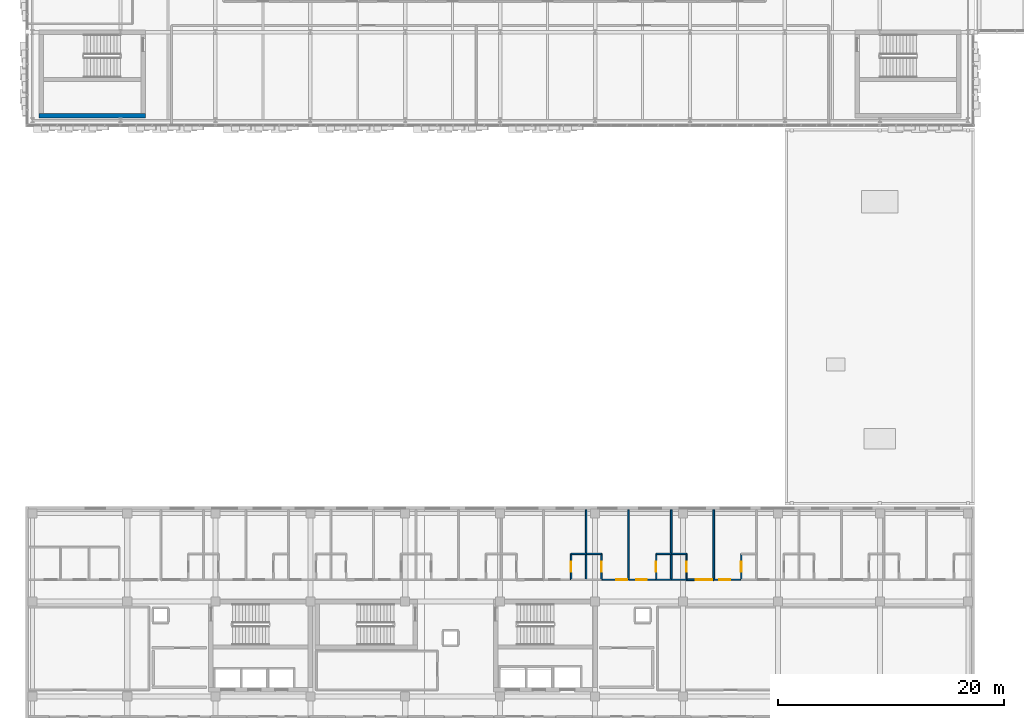
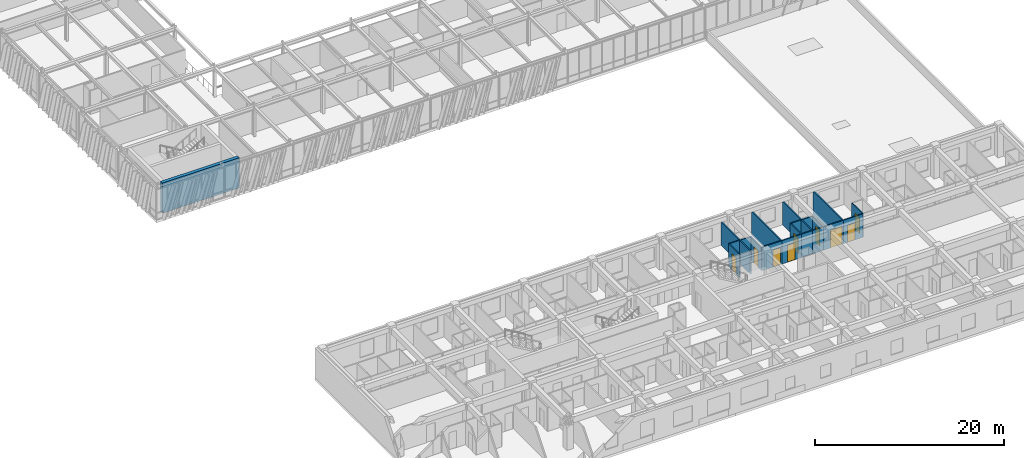
# One storey, part 102 of 127: 20 walls, 9 doors, 9 openings.
"""IFC4 building model written with IfcOpenShell, lengths in metres."""

from ifc_helpers import new_model, si_unit, direction, frame, frame_2d, origin, place, context, subcontext, project, spatial, rectangle, extrude, material, layer, layer_set, type_object, element, fill, save


model = new_model("IFC4")

# Units and contexts
model_context = context("Model", 3, precision=1e-05, world=origin(), true_north=direction((0.0, 1.0)))
body_context = subcontext(model_context, "Body", "Model", "MODEL_VIEW")
ifc_project = project(units=[si_unit("LENGTHUNIT", "METRE"), si_unit("AREAUNIT", "SQUARE_METRE"), si_unit("VOLUMEUNIT", "CUBIC_METRE"), si_unit("PLANEANGLEUNIT", "RADIAN"), si_unit("MASSUNIT", "GRAM", prefix="KILO")], contexts=[model_context])

# Site, building, storey
site_placement = place(None, origin())
site = spatial("IfcSite", under=ifc_project, at=site_placement, CompositionType="ELEMENT")
building_placement = place(site_placement, origin())
building = spatial("IfcBuilding", under=site, at=building_placement, Name="Zayran Congress Hotel", CompositionType="ELEMENT")
storey_placement = place(building_placement, frame((0.0, 0.0, 10.800048828125)))
storey = spatial("IfcBuildingStorey", under=building, at=storey_placement, Name="L02", CompositionType="ELEMENT", Elevation=10.800048828125)

# Wall
ifc_material_1 = material(Name="Concrete C40/50", Category="concrete")
ifc_layer_1 = layer(ifc_material_1, 0.39990234375)
ifc_layer_set_1 = layer_set([ifc_layer_1], Name="Concrete C40/50")
wall_type_1 = type_object("IfcWallType", Name="WL-SH-400", PredefinedType="SHEAR", material=ifc_layer_set_1)
wall_1_placement = place(storey_placement, frame((9.60009765625, 68.60009765625, 0.0), z_axis=(0.0, 0.0, 1.0), x_axis=(1.0, 0.0, 0.0)))
element("IfcWall", 1, at=wall_1_placement, inside=storey, type_object=wall_type_1, Name="CWALL-C-V1S-L02-S", PredefinedType="SHEAR", context=body_context, shape_type="SweptSolid", body=[
    extrude(rectangle(XDim=9.39990234375, YDim=0.39990234375, at=frame_2d((4.699951171875, 0.0))), origin(), (0.0, 0.0, 1.0), 3.919921875),
])

# Wall, opening, door
ifc_material_2 = material(Name="Hospitality guestroom acoustic partition", Category="gypsum")
ifc_layer_2 = layer(ifc_material_2, 0.139892578125)
ifc_layer_set_2 = layer_set([ifc_layer_2], Name="Hospitality guestroom acoustic partition")
wall_type_2 = type_object("IfcWallType", Name="WL-PT-140", PredefinedType="PARTITIONING", material=ifc_layer_set_2)
wall_2_placement = place(storey_placement, frame((59.361083984375, 27.530029296875, 0.0), z_axis=(0.0, 0.0, 1.0), x_axis=(1.0, 0.0, 0.0)))
wall_2 = element("IfcWall", 2, at=wall_2_placement, inside=storey, type_object=wall_type_2, Name="IW-L02-0547", PredefinedType="PARTITIONING", context=body_context, shape_type="SweptSolid", body=[
    extrude(rectangle(XDim=2.414794921875, YDim=0.139892578125, at=frame_2d((1.20751953125, 0.0))), origin(), (0.0, 0.0, 1.0), 3.02001953125),
])
opening_1_placement = place(wall_2_placement, frame((1.3349609375, 0.0, 0.0)))
opening_1 = element("IfcOpeningElement", 3, at=opening_1_placement, cuts=wall_2, Name="Opening DR-GR-01", PredefinedType="OPENING", context=body_context, shape_type="SweptSolid", body=[
    extrude(rectangle(XDim=0.93994140625, YDim=2.199951171875, at=frame_2d((0.469970703125, 1.10009765625))), frame((0.0, 0.079833984375, 0.0), z_axis=(0.0, -1.0, 0.0), x_axis=(1.0, 0.0, 0.0)), (0.0, 0.0, 1.0), 0.159912109375),
])
ifc_material_3 = material(Name="Acoustic walnut veneer fire-rated entry door", Category="wood")
door_type_1 = type_object("IfcDoorType", Name="TP-DR-GR-01", OperationType="NOTDEFINED", PredefinedType="DOOR", material=ifc_material_3)
door_1_placement = place(opening_1_placement, origin())
door_1 = element("IfcDoor", 4, at=door_1_placement, inside=storey, type_object=door_type_1, Name="Guest Room L02-30 Door", OperationType="SINGLE_SWING_RIGHT", OverallHeight=2.199951171875, OverallWidth=0.93994140625, PredefinedType="DOOR", context=body_context, shape_type="SweptSolid", body=[
    extrude(rectangle(XDim=0.93994140625, YDim=2.199951171875, at=frame_2d((0.469970703125, 1.10009765625))), frame((0.0, 0.02490234375, 0.0), z_axis=(0.0, -1.0, 0.0), x_axis=(1.0, 0.0, 0.0)), (0.0, 0.0, 1.0), 0.050048828125),
])
fill(opening_1, door_1)

wall_3_placement = place(storey_placement, frame((61.7958984375, 27.530029296875, 0.0), z_axis=(0.0, 0.0, 1.0), x_axis=(1.0, 0.0, 0.0)))
wall_3 = element("IfcWall", 5, at=wall_3_placement, inside=storey, type_object=wall_type_2, Name="IW-L02-0548", PredefinedType="PARTITIONING", context=body_context, shape_type="SweptSolid", body=[
    extrude(rectangle(XDim=2.4150390625, YDim=0.139892578125, at=frame_2d((1.20751953125, 0.0))), origin(), (0.0, 0.0, 1.0), 3.02001953125),
])
opening_2_placement = place(wall_3_placement, frame((0.652099609375, 0.0, 0.0)))
opening_2 = element("IfcOpeningElement", 6, at=opening_2_placement, cuts=wall_3, Name="Opening DR-GR-01", PredefinedType="OPENING", context=body_context, shape_type="SweptSolid", body=[
    extrude(rectangle(XDim=0.93994140625, YDim=2.199951171875, at=frame_2d((0.469970703125, 1.10009765625))), frame((0.0, 0.079833984375, 0.0), z_axis=(0.0, -1.0, 0.0), x_axis=(1.0, 0.0, 0.0)), (0.0, 0.0, 1.0), 0.159912109375),
])
door_2_placement = place(opening_2_placement, origin())
door_2 = element("IfcDoor", 7, at=door_2_placement, inside=storey, type_object=door_type_1, Name="Guest Room L02-31 Door", OperationType="SINGLE_SWING_LEFT", OverallHeight=2.199951171875, OverallWidth=0.93994140625, PredefinedType="DOOR", context=body_context, shape_type="SweptSolid", body=[
    extrude(rectangle(XDim=0.93994140625, YDim=2.199951171875, at=frame_2d((0.469970703125, 1.10009765625))), frame((0.0, 0.02490234375, 0.0), z_axis=(0.0, -1.0, 0.0), x_axis=(1.0, 0.0, 0.0)), (0.0, 0.0, 1.0), 0.050048828125),
])
fill(opening_2, door_2)

wall_4_placement = place(storey_placement, frame((66.889892578125, 27.530029296875, 0.0), z_axis=(0.0, 0.0, 1.0), x_axis=(1.0, 0.0, 0.0)))
wall_4 = element("IfcWall", 8, at=wall_4_placement, inside=storey, type_object=wall_type_2, Name="IW-L02-0549", PredefinedType="PARTITIONING", context=body_context, shape_type="SweptSolid", body=[
    extrude(rectangle(XDim=2.4150390625, YDim=0.139892578125, at=frame_2d((1.20751953125, 0.0))), origin(), (0.0, 0.0, 1.0), 3.02001953125),
])
opening_3_placement = place(wall_4_placement, frame((0.824951171875, 0.0, 0.0)))
opening_3 = element("IfcOpeningElement", 9, at=opening_3_placement, cuts=wall_4, Name="Opening DR-ST-01", PredefinedType="OPENING", context=body_context, shape_type="SweptSolid", body=[
    extrude(rectangle(XDim=1.449951171875, YDim=2.300048828125, at=frame_2d((0.72509765625, 1.14990234375))), frame((0.0, 0.079833984375, 0.0), z_axis=(0.0, -1.0, 0.0), x_axis=(1.0, 0.0, 0.0)), (0.0, 0.0, 1.0), 0.159912109375),
])
ifc_material_4 = material(Name="Double walnut veneer suite entry door", Category="wood")
door_type_2 = type_object("IfcDoorType", Name="TP-DR-ST-01", OperationType="DOUBLE_DOOR_SINGLE_SWING", PredefinedType="DOOR", material=ifc_material_4)
door_3_placement = place(opening_3_placement, origin())
door_3 = element("IfcDoor", 10, at=door_3_placement, inside=storey, type_object=door_type_2, Name="Executive Suite L02-32 Door", OperationType="DOUBLE_DOOR_SINGLE_SWING", OverallHeight=2.300048828125, OverallWidth=1.449951171875, PredefinedType="DOOR", context=body_context, shape_type="SweptSolid", body=[
    extrude(rectangle(XDim=1.449951171875, YDim=2.300048828125, at=frame_2d((0.72509765625, 1.14990234375))), frame((0.0, 0.02490234375, 0.0), z_axis=(0.0, -1.0, 0.0), x_axis=(1.0, 0.0, 0.0)), (0.0, 0.0, 1.0), 0.050048828125),
])
fill(opening_3, door_3)

wall_5_placement = place(storey_placement, frame((69.324951171875, 27.530029296875, 0.0), z_axis=(0.0, 0.0, 1.0), x_axis=(1.0, 0.0, 0.0)))
wall_5 = element("IfcWall", 11, at=wall_5_placement, inside=storey, type_object=wall_type_2, Name="IW-L02-0550", PredefinedType="PARTITIONING", context=body_context, shape_type="SweptSolid", body=[
    extrude(rectangle(XDim=2.4150390625, YDim=0.139892578125, at=frame_2d((1.20751953125, 0.0))), origin(), (0.0, 0.0, 1.0), 3.02001953125),
])
opening_4_placement = place(wall_5_placement, frame((0.48095703125, 0.0, 0.0)))
opening_4 = element("IfcOpeningElement", 12, at=opening_4_placement, cuts=wall_5, Name="Opening DR-GR-01", PredefinedType="OPENING", context=body_context, shape_type="SweptSolid", body=[
    extrude(rectangle(XDim=0.93994140625, YDim=2.199951171875, at=frame_2d((0.469970703125, 1.10009765625))), frame((0.0, 0.079833984375, 0.0), z_axis=(0.0, -1.0, 0.0), x_axis=(1.0, 0.0, 0.0)), (0.0, 0.0, 1.0), 0.159912109375),
])
door_4_placement = place(opening_4_placement, origin())
door_4 = element("IfcDoor", 13, at=door_4_placement, inside=storey, type_object=door_type_1, Name="Guest Room L02-33 Door", OperationType="SINGLE_SWING_RIGHT", OverallHeight=2.199951171875, OverallWidth=0.93994140625, PredefinedType="DOOR", context=body_context, shape_type="SweptSolid", body=[
    extrude(rectangle(XDim=0.93994140625, YDim=2.199951171875, at=frame_2d((0.469970703125, 1.10009765625))), frame((0.0, 0.02490234375, 0.0), z_axis=(0.0, -1.0, 0.0), x_axis=(1.0, 0.0, 0.0)), (0.0, 0.0, 1.0), 0.050048828125),
])
fill(opening_4, door_4)

# Walls
for number, where, z_axis, x_axis, name in (
    (14, (58.011962890625, 27.52001953125, 0.0), (0.0, 0.0, 1.0), (0.0, 1.0, 0.0), "IW-L02-1861"),
    (15, (61.77587890625, 27.52001953125, 0.0), (0.0, 0.0, 1.0), (0.0, 1.0, 0.0), "IW-L02-1862"),
    (16, (65.541015625, 27.52001953125, 0.0), (0.0, 0.0, 1.0), (0.0, 1.0, 0.0), "IW-L02-1863"),
    (17, (69.304931640625, 27.52001953125, 0.0), (0.0, 0.0, 1.0), (0.0, 1.0, 0.0), "IW-L02-1864"),
):
    element("IfcWall", number, at=place(storey_placement, frame(where, z_axis=z_axis, x_axis=x_axis)), inside=storey, type_object=wall_type_2, Name=name, PredefinedType="PARTITIONING", context=body_context, shape_type="SweptSolid", body=[
        extrude(rectangle(XDim=6.199951171875, YDim=0.139892578125, at=frame_2d((3.10009765625, 0.0))), origin(), (0.0, 0.0, 1.0), 3.02001953125),
    ])

# Wall, opening, door
ifc_material_5 = material(Name="Moisture-resistant bathroom partition", Category="gypsum")
ifc_layer_3 = layer(ifc_material_5, 0.1201171875)
ifc_layer_set_3 = layer_set([ifc_layer_3], Name="Moisture-resistant bathroom partition")
wall_type_3 = type_object("IfcWallType", Name="WL-PT-120", PredefinedType="PARTITIONING", material=ifc_layer_set_3)
wall_6_placement = place(storey_placement, frame((56.68310546875, 27.52001953125, 0.0), z_axis=(0.0, 0.0, 1.0), x_axis=(0.0, 1.0, 0.0)))
wall_6 = element("IfcWall", 18, at=wall_6_placement, inside=storey, type_object=wall_type_3, Name="IW-L02-0081", PredefinedType="PARTITIONING", context=body_context, shape_type="SweptSolid", body=[
    extrude(rectangle(XDim=2.31005859375, YDim=0.1201171875, at=frame_2d((1.155029296875, 0.0))), origin(), (0.0, 0.0, 1.0), 3.02001953125),
])
opening_5_placement = place(wall_6_placement, frame((0.715087890625, 0.0, 0.0)))
opening_5 = element("IfcOpeningElement", 19, at=opening_5_placement, cuts=wall_6, Name="Opening DR-BT-01", PredefinedType="OPENING", context=body_context, shape_type="SweptSolid", body=[
    extrude(rectangle(XDim=0.8798828125, YDim=2.14990234375, at=frame_2d((0.43994140625, 1.074951171875))), frame((0.0, 0.070068359375, 0.0), z_axis=(0.0, -1.0, 0.0), x_axis=(1.0, 0.0, 0.0)), (0.0, 0.0, 1.0), 0.14013671875),
])
ifc_material_6 = material(Name="Moisture-resistant oak en-suite door", Category="wood")
door_type_3 = type_object("IfcDoorType", Name="TP-DR-BT-01", OperationType="NOTDEFINED", PredefinedType="DOOR", material=ifc_material_6)
door_5_placement = place(opening_5_placement, origin())
door_5 = element("IfcDoor", 20, at=door_5_placement, inside=storey, type_object=door_type_3, Name="En-Suite Bathroom L02-29 Door", OperationType="SINGLE_SWING_RIGHT", OverallHeight=2.14990234375, OverallWidth=0.8798828125, PredefinedType="DOOR", context=body_context, shape_type="SweptSolid", body=[
    extrude(rectangle(XDim=0.8798828125, YDim=2.14990234375, at=frame_2d((0.43994140625, 1.074951171875))), frame((0.0, 0.02490234375, 0.0), z_axis=(0.0, -1.0, 0.0), x_axis=(1.0, 0.0, 0.0)), (0.0, 0.0, 1.0), 0.050048828125),
])
fill(opening_5, door_5)

wall_7_placement = place(storey_placement, frame((59.361083984375, 27.52001953125, 0.0), z_axis=(0.0, 0.0, 1.0), x_axis=(0.0, 1.0, 0.0)))
wall_7 = element("IfcWall", 21, at=wall_7_placement, inside=storey, type_object=wall_type_3, Name="IW-L02-0082", PredefinedType="PARTITIONING", context=body_context, shape_type="SweptSolid", body=[
    extrude(rectangle(XDim=2.31005859375, YDim=0.1201171875, at=frame_2d((1.155029296875, 0.0))), origin(), (0.0, 0.0, 1.0), 3.02001953125),
])
opening_6_placement = place(wall_7_placement, frame((0.715087890625, 0.0, 0.0)))
opening_6 = element("IfcOpeningElement", 22, at=opening_6_placement, cuts=wall_7, Name="Opening DR-BT-01", PredefinedType="OPENING", context=body_context, shape_type="SweptSolid", body=[
    extrude(rectangle(XDim=0.8798828125, YDim=2.14990234375, at=frame_2d((0.43994140625, 1.074951171875))), frame((0.0, 0.070068359375, 0.0), z_axis=(0.0, -1.0, 0.0), x_axis=(1.0, 0.0, 0.0)), (0.0, 0.0, 1.0), 0.14013671875),
])
door_6_placement = place(opening_6_placement, origin())
door_6 = element("IfcDoor", 23, at=door_6_placement, inside=storey, type_object=door_type_3, Name="En-Suite Bathroom L02-30 Door", OperationType="SINGLE_SWING_LEFT", OverallHeight=2.14990234375, OverallWidth=0.8798828125, PredefinedType="DOOR", context=body_context, shape_type="SweptSolid", body=[
    extrude(rectangle(XDim=0.8798828125, YDim=2.14990234375, at=frame_2d((0.43994140625, 1.074951171875))), frame((0.0, 0.02490234375, 0.0), z_axis=(0.0, -1.0, 0.0), x_axis=(1.0, 0.0, 0.0)), (0.0, 0.0, 1.0), 0.050048828125),
])
fill(opening_6, door_6)

wall_8_placement = place(storey_placement, frame((64.2109375, 27.52001953125, 0.0), z_axis=(0.0, 0.0, 1.0), x_axis=(0.0, 1.0, 0.0)))
wall_8 = element("IfcWall", 24, at=wall_8_placement, inside=storey, type_object=wall_type_3, Name="IW-L02-0083", PredefinedType="PARTITIONING", context=body_context, shape_type="SweptSolid", body=[
    extrude(rectangle(XDim=2.31005859375, YDim=0.1201171875, at=frame_2d((1.155029296875, 0.0))), origin(), (0.0, 0.0, 1.0), 3.02001953125),
])
opening_7_placement = place(wall_8_placement, frame((0.715087890625, 0.0, 0.0)))
opening_7 = element("IfcOpeningElement", 25, at=opening_7_placement, cuts=wall_8, Name="Opening DR-BT-01", PredefinedType="OPENING", context=body_context, shape_type="SweptSolid", body=[
    extrude(rectangle(XDim=0.8798828125, YDim=2.14990234375, at=frame_2d((0.43994140625, 1.074951171875))), frame((0.0, 0.070068359375, 0.0), z_axis=(0.0, -1.0, 0.0), x_axis=(1.0, 0.0, 0.0)), (0.0, 0.0, 1.0), 0.14013671875),
])
door_7_placement = place(opening_7_placement, origin())
door_7 = element("IfcDoor", 26, at=door_7_placement, inside=storey, type_object=door_type_3, Name="En-Suite Bathroom L02-31 Door", OperationType="SINGLE_SWING_RIGHT", OverallHeight=2.14990234375, OverallWidth=0.8798828125, PredefinedType="DOOR", context=body_context, shape_type="SweptSolid", body=[
    extrude(rectangle(XDim=0.8798828125, YDim=2.14990234375, at=frame_2d((0.43994140625, 1.074951171875))), frame((0.0, 0.02490234375, 0.0), z_axis=(0.0, -1.0, 0.0), x_axis=(1.0, 0.0, 0.0)), (0.0, 0.0, 1.0), 0.050048828125),
])
fill(opening_7, door_7)

wall_9_placement = place(storey_placement, frame((66.889892578125, 27.52001953125, 0.0), z_axis=(0.0, 0.0, 1.0), x_axis=(0.0, 1.0, 0.0)))
wall_9 = element("IfcWall", 27, at=wall_9_placement, inside=storey, type_object=wall_type_3, Name="IW-L02-0084", PredefinedType="PARTITIONING", context=body_context, shape_type="SweptSolid", body=[
    extrude(rectangle(XDim=2.31005859375, YDim=0.1201171875, at=frame_2d((1.155029296875, 0.0))), origin(), (0.0, 0.0, 1.0), 3.02001953125),
])
opening_8_placement = place(wall_9_placement, frame((0.715087890625, 0.0, 0.0)))
opening_8 = element("IfcOpeningElement", 28, at=opening_8_placement, cuts=wall_9, Name="Opening DR-BT-01", PredefinedType="OPENING", context=body_context, shape_type="SweptSolid", body=[
    extrude(rectangle(XDim=0.8798828125, YDim=2.14990234375, at=frame_2d((0.43994140625, 1.074951171875))), frame((0.0, 0.070068359375, 0.0), z_axis=(0.0, -1.0, 0.0), x_axis=(1.0, 0.0, 0.0)), (0.0, 0.0, 1.0), 0.14013671875),
])
door_8_placement = place(opening_8_placement, origin())
door_8 = element("IfcDoor", 29, at=door_8_placement, inside=storey, type_object=door_type_3, Name="En-Suite Bathroom L02-32 Door", OperationType="SINGLE_SWING_LEFT", OverallHeight=2.14990234375, OverallWidth=0.8798828125, PredefinedType="DOOR", context=body_context, shape_type="SweptSolid", body=[
    extrude(rectangle(XDim=0.8798828125, YDim=2.14990234375, at=frame_2d((0.43994140625, 1.074951171875))), frame((0.0, 0.02490234375, 0.0), z_axis=(0.0, -1.0, 0.0), x_axis=(1.0, 0.0, 0.0)), (0.0, 0.0, 1.0), 0.050048828125),
])
fill(opening_8, door_8)

wall_10_placement = place(storey_placement, frame((71.739990234375, 27.52001953125, 0.0), z_axis=(0.0, 0.0, 1.0), x_axis=(0.0, 1.0, 0.0)))
wall_10 = element("IfcWall", 30, at=wall_10_placement, inside=storey, type_object=wall_type_3, Name="IW-L02-0085", PredefinedType="PARTITIONING", context=body_context, shape_type="SweptSolid", body=[
    extrude(rectangle(XDim=2.31005859375, YDim=0.1201171875, at=frame_2d((1.155029296875, 0.0))), origin(), (0.0, 0.0, 1.0), 3.02001953125),
])
opening_9_placement = place(wall_10_placement, frame((0.715087890625, 0.0, 0.0)))
opening_9 = element("IfcOpeningElement", 31, at=opening_9_placement, cuts=wall_10, Name="Opening DR-BT-01", PredefinedType="OPENING", context=body_context, shape_type="SweptSolid", body=[
    extrude(rectangle(XDim=0.8798828125, YDim=2.14990234375, at=frame_2d((0.43994140625, 1.074951171875))), frame((0.0, 0.070068359375, 0.0), z_axis=(0.0, -1.0, 0.0), x_axis=(1.0, 0.0, 0.0)), (0.0, 0.0, 1.0), 0.14013671875),
])
door_9_placement = place(opening_9_placement, origin())
door_9 = element("IfcDoor", 32, at=door_9_placement, inside=storey, type_object=door_type_3, Name="En-Suite Bathroom L02-33 Door", OperationType="SINGLE_SWING_RIGHT", OverallHeight=2.14990234375, OverallWidth=0.8798828125, PredefinedType="DOOR", context=body_context, shape_type="SweptSolid", body=[
    extrude(rectangle(XDim=0.8798828125, YDim=2.14990234375, at=frame_2d((0.43994140625, 1.074951171875))), frame((0.0, 0.02490234375, 0.0), z_axis=(0.0, -1.0, 0.0), x_axis=(1.0, 0.0, 0.0)), (0.0, 0.0, 1.0), 0.050048828125),
])
fill(opening_9, door_9)

# Walls
wall_11_placement = place(storey_placement, frame((56.673095703125, 29.820068359375, 0.0), z_axis=(0.0, 0.0, 1.0), x_axis=(1.0, 0.0, 0.0)))
element("IfcWall", 33, at=wall_11_placement, inside=storey, type_object=wall_type_3, Name="IW-L02-1030", PredefinedType="PARTITIONING", context=body_context, shape_type="SweptSolid", body=[
    extrude(rectangle(XDim=1.348876953125, YDim=0.1201171875, at=frame_2d((0.67431640625, 0.0))), origin(), (0.0, 0.0, 1.0), 3.02001953125),
])
wall_12_placement = place(storey_placement, frame((58.02197265625, 29.820068359375, 0.0), z_axis=(0.0, 0.0, 1.0), x_axis=(1.0, 0.0, 0.0)))
element("IfcWall", 34, at=wall_12_placement, inside=storey, type_object=wall_type_3, Name="IW-L02-1032", PredefinedType="PARTITIONING", context=body_context, shape_type="SweptSolid", body=[
    extrude(rectangle(XDim=1.34912109375, YDim=0.1201171875, at=frame_2d((0.674560546875, 0.0))), origin(), (0.0, 0.0, 1.0), 3.02001953125),
])
for number, where, z_axis, x_axis, name in (
    (35, (64.200927734375, 27.530029296875, 0.0), (0.0, 0.0, 1.0), (1.0, 0.0, 0.0), "IW-L02-1033"),
    (36, (64.200927734375, 29.820068359375, 0.0), (0.0, 0.0, 1.0), (1.0, 0.0, 0.0), "IW-L02-1034"),
):
    element("IfcWall", number, at=place(storey_placement, frame(where, z_axis=z_axis, x_axis=x_axis)), inside=storey, type_object=wall_type_3, Name=name, PredefinedType="PARTITIONING", context=body_context, shape_type="SweptSolid", body=[
        extrude(rectangle(XDim=1.35009765625, YDim=0.1201171875, at=frame_2d((0.675048828125, 0.0))), origin(), (0.0, 0.0, 1.0), 3.02001953125),
    ])
for number, where, z_axis, x_axis, name in (
    (37, (65.551025390625, 27.530029296875, 0.0), (0.0, 0.0, 1.0), (1.0, 0.0, 0.0), "IW-L02-1035"),
    (38, (65.551025390625, 29.820068359375, 0.0), (0.0, 0.0, 1.0), (1.0, 0.0, 0.0), "IW-L02-1036"),
):
    element("IfcWall", number, at=place(storey_placement, frame(where, z_axis=z_axis, x_axis=x_axis)), inside=storey, type_object=wall_type_3, Name=name, PredefinedType="PARTITIONING", context=body_context, shape_type="SweptSolid", body=[
        extrude(rectangle(XDim=1.348876953125, YDim=0.1201171875, at=frame_2d((0.67431640625, 0.0))), origin(), (0.0, 0.0, 1.0), 3.02001953125),
    ])

save(model, "model.ifc")
